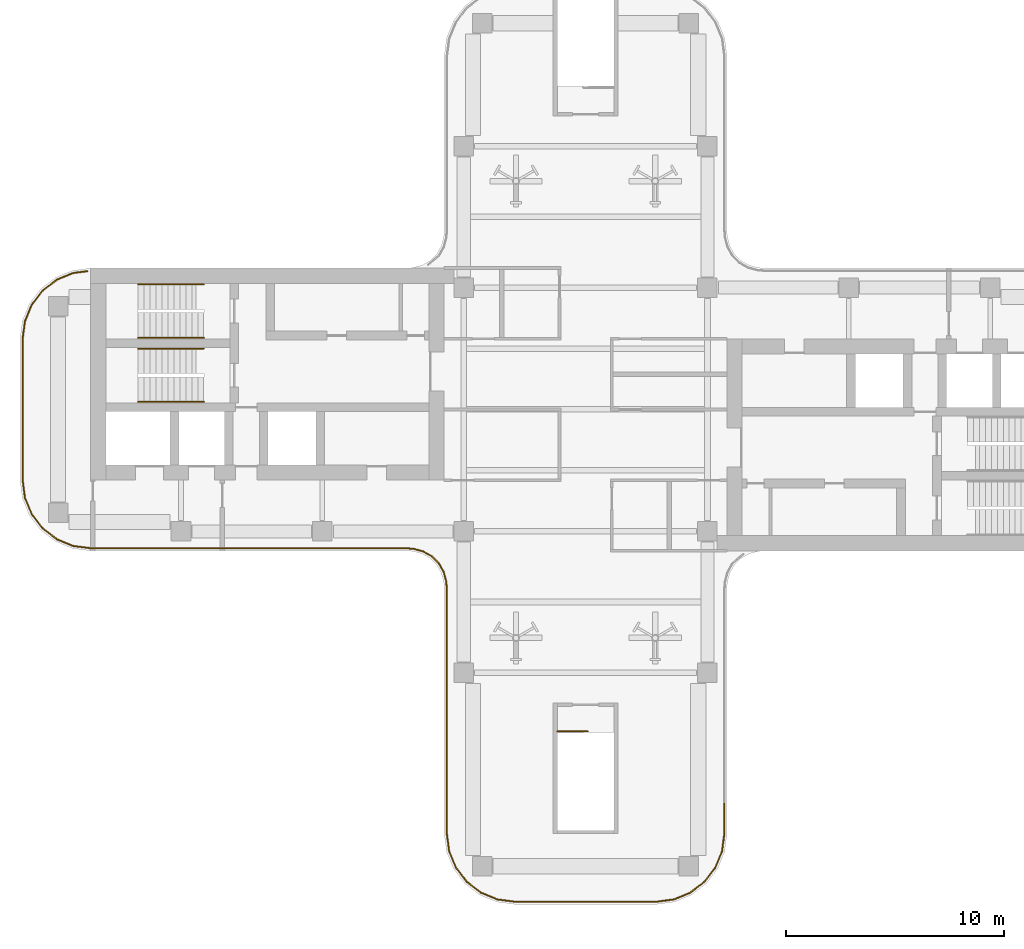
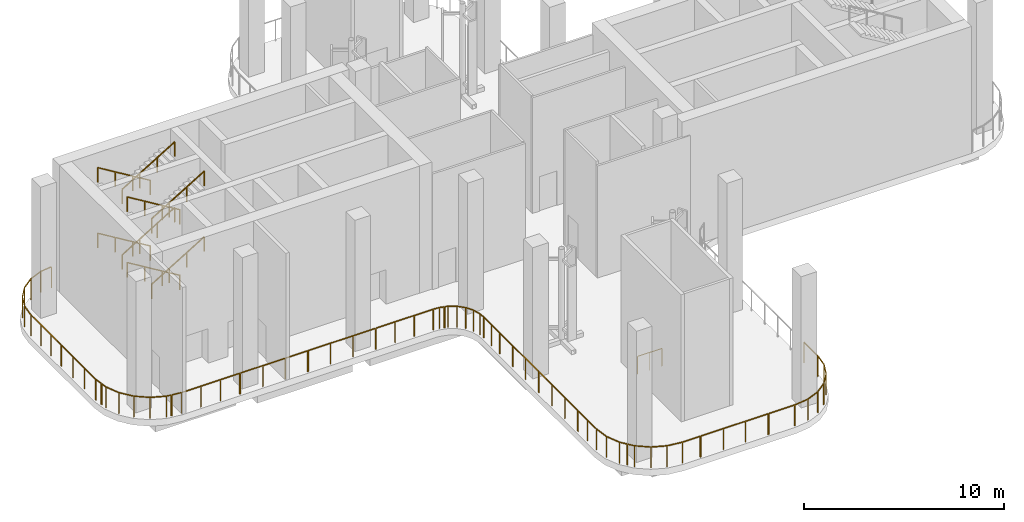
# One storey, part 5 of 8: 25 railings.
"""IFC4 building model written with IfcOpenShell, lengths in metres."""

from ifc_helpers import new_model, si_unit, direction, frame, origin, origin_2d, place, context, subcontext, project, spatial, rectangle, circle, extrude, source, transform, mapped, material, type_object, element, save


model = new_model("IFC4")

# Units and contexts
model_context = context("Model", 3, precision=1e-05, world=origin(), true_north=direction((0.0, 1.0)))
body_context = subcontext(model_context, "Body", "Model", "MODEL_VIEW")
ifc_project = project(units=[si_unit("LENGTHUNIT", "METRE"), si_unit("AREAUNIT", "SQUARE_METRE"), si_unit("VOLUMEUNIT", "CUBIC_METRE"), si_unit("PLANEANGLEUNIT", "RADIAN"), si_unit("MASSUNIT", "GRAM", prefix="KILO")], contexts=[model_context])

# Site, building, storey
site_placement = place(None, origin())
site = spatial("IfcSite", under=ifc_project, at=site_placement, CompositionType="ELEMENT")
building_placement = place(site_placement, origin())
building = spatial("IfcBuilding", under=site, at=building_placement, Name="Trellis Farm Tower", CompositionType="ELEMENT")
storey_placement = place(building_placement, frame((0.0, 0.0, 330.10009765625)))
storey = spatial("IfcBuildingStorey", under=building, at=storey_placement, Name="L75", CompositionType="ELEMENT", Elevation=330.10009765625)

# Railings
ifc_material_1 = material(Name="Stainless steel 316", Category="steel")
railing_type_1 = type_object("IfcRailingType", Name="BALUSTRADE GUARD 1300", PredefinedType="GUARDRAIL", material=ifc_material_1)
railing_1_placement = place(storey_placement, frame((6.3798828125, -18.124755859375, 0.0)))
element("IfcRailing", 1, at=railing_1_placement, inside=storey, type_object=railing_type_1, Name="GD3 EDGE-22", PredefinedType="GUARDRAIL", context=body_context, shape_type="SweptSolid", body=[
    extrude(rectangle(XDim=0.050048828125, YDim=0.050048828125, at=origin_2d()), frame((0.0, 0.0, 1.27490234375), z_axis=(0.0, -1.0, 0.0), x_axis=(1.0, 0.0, 0.0)), (0.0, 0.0, 1.0), 1.367431640625),
    extrude(rectangle(XDim=0.050048828125, YDim=0.050048828125, at=origin_2d()), frame((0.0, -1.367431640625, 1.27490234375), z_axis=(-0.130554065513, -0.991441191387, 0.0), x_axis=(0.991441191387, -0.130554065513, 0.0)), (0.0, 0.0, 1.0), 0.82470703125),
    extrude(rectangle(XDim=0.050048828125, YDim=0.050048828125, at=origin_2d()), frame((-0.107666015625, -2.18505859375, 1.27490234375), z_axis=(-0.382598185958, -0.923914838122, 0.0), x_axis=(0.923914838122, -0.382598185958, 0.0)), (0.0, 0.0, 1.0), 0.81689453125),
    extrude(rectangle(XDim=0.050048828125, YDim=0.050048828125, at=origin_2d()), frame((-0.420166015625, -2.939697265625, 1.27490234375), z_axis=(-0.608858156099, -0.793279109615, 0.0), x_axis=(0.793279109615, -0.608858156099, 0.0)), (0.0, 0.0, 1.0), 0.81689453125),
    extrude(rectangle(XDim=0.050048828125, YDim=0.050048828125, at=origin_2d()), frame((-0.91748046875, -3.587646484375, 1.27490234375), z_axis=(-0.791285001392, -0.611447501076, 0.0), x_axis=(0.611447501076, -0.791285001392, 0.0)), (0.0, 0.0, 1.0), 0.040771484375),
    extrude(rectangle(XDim=0.0400390625, YDim=0.0400390625, at=origin_2d()), origin(), (0.0, 0.0, 1.0), 1.25),
    extrude(rectangle(XDim=0.0400390625, YDim=0.0400390625, at=origin_2d()), frame((0.0, -1.367431640625, 0.0)), (0.0, 0.0, 1.0), 1.25),
    extrude(rectangle(XDim=0.0400390625, YDim=0.0400390625, at=origin_2d()), frame((-0.107666015625, -2.18505859375, 0.0)), (0.0, 0.0, 1.0), 1.25),
    extrude(rectangle(XDim=0.0400390625, YDim=0.0400390625, at=origin_2d()), frame((-0.420166015625, -2.939697265625, 0.0)), (0.0, 0.0, 1.0), 1.25),
    extrude(rectangle(XDim=0.0400390625, YDim=0.0400390625, at=origin_2d()), frame((-0.91748046875, -3.587646484375, 0.0)), (0.0, 0.0, 1.0), 1.25),
    extrude(rectangle(XDim=0.0400390625, YDim=0.0400390625, at=origin_2d()), frame((-0.94970703125, -3.612548828125, 0.0)), (0.0, 0.0, 1.0), 1.25),
])
railing_2_placement = place(storey_placement, frame((5.394287109375, -21.764892578125, 0.0)))
element("IfcRailing", 2, at=railing_2_placement, inside=storey, type_object=railing_type_1, Name="GD3 EDGE-23", PredefinedType="GUARDRAIL", context=body_context, shape_type="SweptSolid", body=[
    extrude(rectangle(XDim=0.050048828125, YDim=0.050048828125, at=origin_2d()), frame((0.0, 0.0, 1.27490234375), z_axis=(-0.793418130896, -0.608676982944, 0.0), x_axis=(0.608676982944, -0.793418130896, 0.0)), (0.0, 0.0, 1.0), 0.730712890625),
    extrude(rectangle(XDim=0.050048828125, YDim=0.050048828125, at=origin_2d()), frame((-0.579833984375, -0.44482421875, 1.27490234375), z_axis=(-0.923914838122, -0.382598185958, 0.0), x_axis=(0.382598185958, -0.923914838122, 0.0)), (0.0, 0.0, 1.0), 0.81689453125),
    extrude(rectangle(XDim=0.050048828125, YDim=0.050048828125, at=origin_2d()), frame((-1.33447265625, -0.75732421875, 1.27490234375), z_axis=(-0.991441191387, -0.130554065513, 0.0), x_axis=(0.130554065513, -0.991441191387, 0.0)), (0.0, 0.0, 1.0), 0.82470703125),
    extrude(rectangle(XDim=0.050048828125, YDim=0.050048828125, at=origin_2d()), frame((-2.152099609375, -0.864990234375, 1.27490234375), z_axis=(-1.0, 0.0, 0.0), x_axis=(0.0, -1.0, 0.0)), (0.0, 0.0, 1.0), 1.494384765625),
    extrude(rectangle(XDim=0.0400390625, YDim=0.0400390625, at=origin_2d()), origin(), (0.0, 0.0, 1.0), 1.25),
    extrude(rectangle(XDim=0.0400390625, YDim=0.0400390625, at=origin_2d()), frame((-0.579833984375, -0.44482421875, 0.0)), (0.0, 0.0, 1.0), 1.25),
    extrude(rectangle(XDim=0.0400390625, YDim=0.0400390625, at=origin_2d()), frame((-1.33447265625, -0.75732421875, 0.0)), (0.0, 0.0, 1.0), 1.25),
    extrude(rectangle(XDim=0.0400390625, YDim=0.0400390625, at=origin_2d()), frame((-2.152099609375, -0.864990234375, 0.0)), (0.0, 0.0, 1.0), 1.25),
    extrude(rectangle(XDim=0.0400390625, YDim=0.0400390625, at=origin_2d()), frame((-3.646484375, -0.864990234375, 0.0)), (0.0, 0.0, 1.0), 1.25),
])
railing_3_placement = place(storey_placement, frame((-2.208984375, -22.6298828125, 0.0)))
element("IfcRailing", 3, at=railing_3_placement, inside=storey, type_object=railing_type_1, Name="GD3 EDGE-25", PredefinedType="GUARDRAIL", context=body_context, shape_type="SweptSolid", body=[
    extrude(rectangle(XDim=0.050048828125, YDim=0.050048828125, at=origin_2d()), frame((0.0, 0.0, 1.27490234375), z_axis=(-1.0, 0.0, 0.0), x_axis=(0.0, -1.0, 0.0)), (0.0, 0.0, 1.0), 1.033203125),
    extrude(rectangle(XDim=0.050048828125, YDim=0.050048828125, at=origin_2d()), frame((-1.033203125, 0.0, 1.27490234375), z_axis=(-0.991441191387, 0.130554065513, 0.0), x_axis=(-0.130554065513, -0.991441191387, 0.0)), (0.0, 0.0, 1.0), 0.82470703125),
    extrude(rectangle(XDim=0.050048828125, YDim=0.050048828125, at=origin_2d()), frame((-1.850830078125, 0.107666015625, 1.27490234375), z_axis=(-0.923914838122, 0.382598185958, 0.0), x_axis=(-0.382598185958, -0.923914838122, 0.0)), (0.0, 0.0, 1.0), 0.81689453125),
    extrude(rectangle(XDim=0.050048828125, YDim=0.050048828125, at=origin_2d()), frame((-2.60546875, 0.420166015625, 1.27490234375), z_axis=(-0.793279109615, 0.608858156099, 0.0), x_axis=(-0.608858156099, -0.793279109615, 0.0)), (0.0, 0.0, 1.0), 0.81689453125),
    extrude(rectangle(XDim=0.050048828125, YDim=0.050048828125, at=origin_2d()), frame((-3.25341796875, 0.91748046875, 1.27490234375), z_axis=(-0.609018747732, 0.793155826374, 0.0), x_axis=(-0.793155826374, -0.609018747732, 0.0)), (0.0, 0.0, 1.0), 0.375244140625),
    extrude(rectangle(XDim=0.0400390625, YDim=0.0400390625, at=origin_2d()), origin(), (0.0, 0.0, 1.0), 1.25),
    extrude(rectangle(XDim=0.0400390625, YDim=0.0400390625, at=origin_2d()), frame((-1.033203125, 0.0, 0.0)), (0.0, 0.0, 1.0), 1.25),
    extrude(rectangle(XDim=0.0400390625, YDim=0.0400390625, at=origin_2d()), frame((-1.850830078125, 0.107666015625, 0.0)), (0.0, 0.0, 1.0), 1.25),
    extrude(rectangle(XDim=0.0400390625, YDim=0.0400390625, at=origin_2d()), frame((-2.60546875, 0.420166015625, 0.0)), (0.0, 0.0, 1.0), 1.25),
    extrude(rectangle(XDim=0.0400390625, YDim=0.0400390625, at=origin_2d()), frame((-3.25341796875, 0.91748046875, 0.0)), (0.0, 0.0, 1.0), 1.25),
    extrude(rectangle(XDim=0.0400390625, YDim=0.0400390625, at=origin_2d()), frame((-3.48193359375, 1.215087890625, 0.0)), (0.0, 0.0, 1.0), 1.25),
])
railing_4_placement = place(storey_placement, frame((-5.71826171875, -21.379150390625, 0.0)))
element("IfcRailing", 4, at=railing_4_placement, inside=storey, type_object=railing_type_1, Name="GD3 EDGE-26", PredefinedType="GUARDRAIL", context=body_context, shape_type="SweptSolid", body=[
    extrude(rectangle(XDim=0.050048828125, YDim=0.050048828125, at=origin_2d()), frame((0.0, 0.0, 1.27490234375), z_axis=(-0.608728697942, 0.793378454649, 0.0), x_axis=(-0.793378454649, -0.608728697942, 0.0)), (0.0, 0.0, 1.0), 0.396728515625),
    extrude(rectangle(XDim=0.050048828125, YDim=0.050048828125, at=origin_2d()), frame((-0.241455078125, 0.314697265625, 1.27490234375), z_axis=(-0.382598185958, 0.923914838122, 0.0), x_axis=(-0.923914838122, -0.382598185958, 0.0)), (0.0, 0.0, 1.0), 0.81689453125),
    extrude(rectangle(XDim=0.050048828125, YDim=0.050048828125, at=origin_2d()), frame((-0.553955078125, 1.0693359375, 1.27490234375), z_axis=(-0.130554065513, 0.991441191387, 0.0), x_axis=(-0.991441191387, -0.130554065513, 0.0)), (0.0, 0.0, 1.0), 0.82470703125),
    extrude(rectangle(XDim=0.050048828125, YDim=0.050048828125, at=origin_2d()), frame((-0.66162109375, 1.886962890625, 1.27490234375), z_axis=(0.0, 1.0, 0.0), x_axis=(-1.0, 0.0, 0.0)), (0.0, 0.0, 1.0), 1.82861328125),
    extrude(rectangle(XDim=0.0400390625, YDim=0.0400390625, at=origin_2d()), origin(), (0.0, 0.0, 1.0), 1.25),
    extrude(rectangle(XDim=0.0400390625, YDim=0.0400390625, at=origin_2d()), frame((-0.241455078125, 0.314697265625, 0.0)), (0.0, 0.0, 1.0), 1.25),
    extrude(rectangle(XDim=0.0400390625, YDim=0.0400390625, at=origin_2d()), frame((-0.553955078125, 1.0693359375, 0.0)), (0.0, 0.0, 1.0), 1.25),
    extrude(rectangle(XDim=0.0400390625, YDim=0.0400390625, at=origin_2d()), frame((-0.66162109375, 1.886962890625, 0.0)), (0.0, 0.0, 1.0), 1.25),
    extrude(rectangle(XDim=0.0400390625, YDim=0.0400390625, at=origin_2d()), frame((-0.66162109375, 2.80126953125, 0.0)), (0.0, 0.0, 1.0), 1.25),
    extrude(rectangle(XDim=0.0400390625, YDim=0.0400390625, at=origin_2d()), frame((-0.66162109375, 3.715576171875, 0.0)), (0.0, 0.0, 1.0), 1.25),
])
railing_5_placement = place(storey_placement, frame((-6.3798828125, -9.795166015625, 0.0)))
element("IfcRailing", 5, at=railing_5_placement, inside=storey, type_object=railing_type_1, Name="GD3 EDGE-29", PredefinedType="GUARDRAIL", context=body_context, shape_type="SweptSolid", body=[
    extrude(rectangle(XDim=0.050048828125, YDim=0.050048828125, at=origin_2d()), frame((0.0, 0.0, 1.27490234375), z_axis=(0.0, 1.0, 0.0), x_axis=(-1.0, 0.0, 0.0)), (0.0, 0.0, 1.0), 1.567626953125),
    extrude(rectangle(XDim=0.050048828125, YDim=0.050048828125, at=origin_2d()), frame((0.0, 1.567626953125, 1.27490234375), z_axis=(-0.088443887633, 0.99608116072, 0.0), x_axis=(-0.99608116072, -0.088443887633, 0.0)), (0.0, 0.0, 1.0), 0.336669921875),
    extrude(rectangle(XDim=0.050048828125, YDim=0.050048828125, at=origin_2d()), frame((-0.02978515625, 1.903076171875, 1.27490234375), z_axis=(-0.258891443638, 0.965906424252, 0.0), x_axis=(-0.965906424252, -0.258891443638, 0.0)), (0.0, 0.0, 1.0), 0.445068359375),
    extrude(rectangle(XDim=0.050048828125, YDim=0.050048828125, at=origin_2d()), frame((-0.14501953125, 2.3330078125, 1.27490234375), z_axis=(-0.499971721724, 0.866041729639, 0.0), x_axis=(-0.866041729639, -0.499971721724, 0.0)), (0.0, 0.0, 1.0), 0.4521484375),
    extrude(rectangle(XDim=0.050048828125, YDim=0.050048828125, at=origin_2d()), frame((-0.37109375, 2.724609375, 1.27490234375), z_axis=(-0.707106781187, 0.707106781187, 0.0), x_axis=(-0.707106781187, -0.707106781187, 0.0)), (0.0, 0.0, 1.0), 0.451904296875),
    extrude(rectangle(XDim=0.050048828125, YDim=0.050048828125, at=origin_2d()), frame((-0.690673828125, 3.044189453125, 1.27490234375), z_axis=(-0.866041729639, 0.499971721724, 0.0), x_axis=(-0.499971721724, -0.866041729639, 0.0)), (0.0, 0.0, 1.0), 0.4521484375),
    extrude(rectangle(XDim=0.050048828125, YDim=0.050048828125, at=origin_2d()), frame((-1.082275390625, 3.270263671875, 1.27490234375), z_axis=(-0.965805806367, 0.259266550846, 0.0), x_axis=(-0.259266550846, -0.965805806367, 0.0)), (0.0, 0.0, 1.0), 0.1611328125),
    extrude(rectangle(XDim=0.0400390625, YDim=0.0400390625, at=origin_2d()), origin(), (0.0, 0.0, 1.0), 1.25),
    extrude(rectangle(XDim=0.0400390625, YDim=0.0400390625, at=origin_2d()), frame((0.0, 0.78369140625, 0.0)), (0.0, 0.0, 1.0), 1.25),
    extrude(rectangle(XDim=0.0400390625, YDim=0.0400390625, at=origin_2d()), frame((0.0, 1.567626953125, 0.0)), (0.0, 0.0, 1.0), 1.25),
    extrude(rectangle(XDim=0.0400390625, YDim=0.0400390625, at=origin_2d()), frame((-0.02978515625, 1.903076171875, 0.0)), (0.0, 0.0, 1.0), 1.25),
    extrude(rectangle(XDim=0.0400390625, YDim=0.0400390625, at=origin_2d()), frame((-0.14501953125, 2.3330078125, 0.0)), (0.0, 0.0, 1.0), 1.25),
    extrude(rectangle(XDim=0.0400390625, YDim=0.0400390625, at=origin_2d()), frame((-0.37109375, 2.724609375, 0.0)), (0.0, 0.0, 1.0), 1.25),
    extrude(rectangle(XDim=0.0400390625, YDim=0.0400390625, at=origin_2d()), frame((-0.690673828125, 3.044189453125, 0.0)), (0.0, 0.0, 1.0), 1.25),
    extrude(rectangle(XDim=0.0400390625, YDim=0.0400390625, at=origin_2d()), frame((-1.082275390625, 3.270263671875, 0.0)), (0.0, 0.0, 1.0), 1.25),
    extrude(rectangle(XDim=0.0400390625, YDim=0.0400390625, at=origin_2d()), frame((-1.23779296875, 3.31201171875, 0.0)), (0.0, 0.0, 1.0), 1.25),
])
railing_6_placement = place(storey_placement, frame((-7.6611328125, -6.471435546875, 0.0)))
element("IfcRailing", 6, at=railing_6_placement, inside=storey, type_object=railing_type_1, Name="GD3 EDGE-30", PredefinedType="GUARDRAIL", context=body_context, shape_type="SweptSolid", body=[
    extrude(rectangle(XDim=0.050048828125, YDim=0.050048828125, at=origin_2d()), frame((0.0, 0.0, 1.27490234375), z_axis=(-0.966048244839, 0.258361739899, 0.0), x_axis=(-0.258361739899, -0.966048244839, 0.0)), (0.0, 0.0, 1.0), 0.239013671875),
    extrude(rectangle(XDim=0.050048828125, YDim=0.050048828125, at=origin_2d()), frame((-0.23095703125, 0.061767578125, 1.27490234375), z_axis=(-0.99608116072, 0.088443887633, 0.0), x_axis=(-0.088443887633, -0.99608116072, 0.0)), (0.0, 0.0, 1.0), 0.336669921875),
    extrude(rectangle(XDim=0.050048828125, YDim=0.050048828125, at=origin_2d()), frame((-0.56640625, 0.091552734375, 1.27490234375), z_axis=(-1.0, 0.0, 0.0), x_axis=(0.0, -1.0, 0.0)), (0.0, 0.0, 1.0), 3.290771484375),
    extrude(rectangle(XDim=0.0400390625, YDim=0.0400390625, at=origin_2d()), origin(), (0.0, 0.0, 1.0), 1.25),
    extrude(rectangle(XDim=0.0400390625, YDim=0.0400390625, at=origin_2d()), frame((-0.23095703125, 0.061767578125, 0.0)), (0.0, 0.0, 1.0), 1.25),
    extrude(rectangle(XDim=0.0400390625, YDim=0.0400390625, at=origin_2d()), frame((-0.56640625, 0.091552734375, 0.0)), (0.0, 0.0, 1.0), 1.25),
    extrude(rectangle(XDim=0.0400390625, YDim=0.0400390625, at=origin_2d()), frame((-1.663330078125, 0.091552734375, 0.0)), (0.0, 0.0, 1.0), 1.25),
    extrude(rectangle(XDim=0.0400390625, YDim=0.0400390625, at=origin_2d()), frame((-2.76025390625, 0.091552734375, 0.0)), (0.0, 0.0, 1.0), 1.25),
    extrude(rectangle(XDim=0.0400390625, YDim=0.0400390625, at=origin_2d()), frame((-3.857177734375, 0.091552734375, 0.0)), (0.0, 0.0, 1.0), 1.25),
])
railing_7_placement = place(storey_placement, frame((-19.386962890625, -6.3798828125, 0.0)))
element("IfcRailing", 7, at=railing_7_placement, inside=storey, type_object=railing_type_1, Name="GD3 EDGE-33", PredefinedType="GUARDRAIL", context=body_context, shape_type="SweptSolid", body=[
    extrude(rectangle(XDim=0.050048828125, YDim=0.050048828125, at=origin_2d()), frame((0.0, 0.0, 1.27490234375), z_axis=(-1.0, 0.0, 0.0), x_axis=(0.0, -1.0, 0.0)), (0.0, 0.0, 1.0), 3.355224609375),
    extrude(rectangle(XDim=0.050048828125, YDim=0.050048828125, at=origin_2d()), frame((-3.355224609375, 0.0, 1.27490234375), z_axis=(-0.991472158722, 0.130318680468, 0.0), x_axis=(-0.130318680468, -0.991472158722, 0.0)), (0.0, 0.0, 1.0), 0.511474609375),
    extrude(rectangle(XDim=0.0400390625, YDim=0.0400390625, at=origin_2d()), origin(), (0.0, 0.0, 1.0), 1.25),
    extrude(rectangle(XDim=0.0400390625, YDim=0.0400390625, at=origin_2d()), frame((-1.118408203125, 0.0, 0.0)), (0.0, 0.0, 1.0), 1.25),
    extrude(rectangle(XDim=0.0400390625, YDim=0.0400390625, at=origin_2d()), frame((-2.23681640625, 0.0, 0.0)), (0.0, 0.0, 1.0), 1.25),
    extrude(rectangle(XDim=0.0400390625, YDim=0.0400390625, at=origin_2d()), frame((-3.355224609375, 0.0, 0.0)), (0.0, 0.0, 1.0), 1.25),
    extrude(rectangle(XDim=0.0400390625, YDim=0.0400390625, at=origin_2d()), frame((-3.8623046875, 0.066650390625, 0.0)), (0.0, 0.0, 1.0), 1.25),
])
railing_8_placement = place(storey_placement, frame((-23.2939453125, -6.307373046875, 0.0)))
element("IfcRailing", 8, at=railing_8_placement, inside=storey, type_object=railing_type_1, Name="GD3 EDGE-34", PredefinedType="GUARDRAIL", context=body_context, shape_type="SweptSolid", body=[
    extrude(rectangle(XDim=0.050048828125, YDim=0.050048828125, at=origin_2d()), frame((0.0, 0.0, 1.27490234375), z_axis=(-0.991370431245, 0.131090304958, 0.0), x_axis=(-0.131090304958, -0.991370431245, 0.0)), (0.0, 0.0, 1.0), 0.26806640625),
    extrude(rectangle(XDim=0.050048828125, YDim=0.050048828125, at=origin_2d()), frame((-0.265869140625, 0.03515625, 1.27490234375), z_axis=(-0.923914838122, 0.382598185958, 0.0), x_axis=(-0.382598185958, -0.923914838122, 0.0)), (0.0, 0.0, 1.0), 0.81689453125),
    extrude(rectangle(XDim=0.050048828125, YDim=0.050048828125, at=origin_2d()), frame((-1.0205078125, 0.34765625, 1.27490234375), z_axis=(-0.793279109615, 0.608858156099, 0.0), x_axis=(-0.608858156099, -0.793279109615, 0.0)), (0.0, 0.0, 1.0), 0.81689453125),
    extrude(rectangle(XDim=0.050048828125, YDim=0.050048828125, at=origin_2d()), frame((-1.66845703125, 0.844970703125, 1.27490234375), z_axis=(-0.608858156099, 0.793279109615, 0.0), x_axis=(-0.793279109615, -0.608858156099, 0.0)), (0.0, 0.0, 1.0), 0.81689453125),
    extrude(rectangle(XDim=0.050048828125, YDim=0.050048828125, at=origin_2d()), frame((-2.165771484375, 1.492919921875, 1.27490234375), z_axis=(-0.382598185958, 0.923914838122, 0.0), x_axis=(-0.923914838122, -0.382598185958, 0.0)), (0.0, 0.0, 1.0), 0.81689453125),
    extrude(rectangle(XDim=0.050048828125, YDim=0.050048828125, at=origin_2d()), frame((-2.478271484375, 2.24755859375, 1.27490234375), z_axis=(-0.131198066394, 0.991356175839, 0.0), x_axis=(-0.991356175839, -0.131198066394, 0.0)), (0.0, 0.0, 1.0), 0.331298828125),
    extrude(rectangle(XDim=0.0400390625, YDim=0.0400390625, at=origin_2d()), origin(), (0.0, 0.0, 1.0), 1.25),
    extrude(rectangle(XDim=0.0400390625, YDim=0.0400390625, at=origin_2d()), frame((-0.265869140625, 0.03515625, 0.0)), (0.0, 0.0, 1.0), 1.25),
    extrude(rectangle(XDim=0.0400390625, YDim=0.0400390625, at=origin_2d()), frame((-1.0205078125, 0.34765625, 0.0)), (0.0, 0.0, 1.0), 1.25),
    extrude(rectangle(XDim=0.0400390625, YDim=0.0400390625, at=origin_2d()), frame((-1.66845703125, 0.844970703125, 0.0)), (0.0, 0.0, 1.0), 1.25),
    extrude(rectangle(XDim=0.0400390625, YDim=0.0400390625, at=origin_2d()), frame((-2.165771484375, 1.492919921875, 0.0)), (0.0, 0.0, 1.0), 1.25),
    extrude(rectangle(XDim=0.0400390625, YDim=0.0400390625, at=origin_2d()), frame((-2.478271484375, 2.24755859375, 0.0)), (0.0, 0.0, 1.0), 1.25),
    extrude(rectangle(XDim=0.0400390625, YDim=0.0400390625, at=origin_2d()), frame((-2.521728515625, 2.575927734375, 0.0)), (0.0, 0.0, 1.0), 1.25),
])
railing_9_placement = place(storey_placement, frame((-25.8212890625, -3.686767578125, 0.0)))
element("IfcRailing", 9, at=railing_9_placement, inside=storey, type_object=railing_type_1, Name="GD3 EDGE-35", PredefinedType="GUARDRAIL", context=body_context, shape_type="SweptSolid", body=[
    extrude(rectangle(XDim=0.050048828125, YDim=0.050048828125, at=origin_2d()), frame((0.0, 0.0, 1.27490234375), z_axis=(-0.130665762971, 0.991426476541, 0.0), x_axis=(-0.991426476541, -0.130665762971, 0.0)), (0.0, 0.0, 1.0), 0.448486328125),
    extrude(rectangle(XDim=0.050048828125, YDim=0.050048828125, at=origin_2d()), frame((-0.05859375, 0.444580078125, 1.27490234375), z_axis=(0.0, 1.0, 0.0), x_axis=(-1.0, 0.0, 0.0)), (0.0, 0.0, 1.0), 3.41845703125),
    extrude(rectangle(XDim=0.0400390625, YDim=0.0400390625, at=origin_2d()), origin(), (0.0, 0.0, 1.0), 1.25),
    extrude(rectangle(XDim=0.0400390625, YDim=0.0400390625, at=origin_2d()), frame((-0.05859375, 0.444580078125, 0.0)), (0.0, 0.0, 1.0), 1.25),
    extrude(rectangle(XDim=0.0400390625, YDim=0.0400390625, at=origin_2d()), frame((-0.05859375, 1.583984375, 0.0)), (0.0, 0.0, 1.0), 1.25),
    extrude(rectangle(XDim=0.0400390625, YDim=0.0400390625, at=origin_2d()), frame((-0.05859375, 2.7236328125, 0.0)), (0.0, 0.0, 1.0), 1.25),
    extrude(rectangle(XDim=0.0400390625, YDim=0.0400390625, at=origin_2d()), frame((-0.05859375, 3.863037109375, 0.0)), (0.0, 0.0, 1.0), 1.25),
])
railing_10_placement = place(storey_placement, frame((-25.8798828125, 0.22119140625, 0.0)))
element("IfcRailing", 10, at=railing_10_placement, inside=storey, type_object=railing_type_1, Name="GD3 EDGE-36", PredefinedType="GUARDRAIL", context=body_context, shape_type="SweptSolid", body=[
    extrude(rectangle(XDim=0.050048828125, YDim=0.050048828125, at=origin_2d()), frame((0.0, 0.0, 1.27490234375), z_axis=(0.0, 1.0, 0.0), x_axis=(-1.0, 0.0, 0.0)), (0.0, 0.0, 1.0), 3.02099609375),
    extrude(rectangle(XDim=0.050048828125, YDim=0.050048828125, at=origin_2d()), frame((0.0, 3.02099609375, 1.27490234375), z_axis=(0.130554065513, 0.991441191387, 0.0), x_axis=(-0.991441191387, 0.130554065513, 0.0)), (0.0, 0.0, 1.0), 0.82470703125),
    extrude(rectangle(XDim=0.050048828125, YDim=0.050048828125, at=origin_2d()), frame((0.107666015625, 3.838623046875, 1.27490234375), z_axis=(0.381330922953, 0.924438601098, 0.0), x_axis=(-0.924438601098, 0.381330922953, 0.0)), (0.0, 0.0, 1.0), 0.021240234375),
    extrude(rectangle(XDim=0.0400390625, YDim=0.0400390625, at=origin_2d()), origin(), (0.0, 0.0, 1.0), 1.25),
    extrude(rectangle(XDim=0.0400390625, YDim=0.0400390625, at=origin_2d()), frame((0.0, 1.007080078125, 0.0)), (0.0, 0.0, 1.0), 1.25),
    extrude(rectangle(XDim=0.0400390625, YDim=0.0400390625, at=origin_2d()), frame((0.0, 2.013916015625, 0.0)), (0.0, 0.0, 1.0), 1.25),
    extrude(rectangle(XDim=0.0400390625, YDim=0.0400390625, at=origin_2d()), frame((0.0, 3.02099609375, 0.0)), (0.0, 0.0, 1.0), 1.25),
    extrude(rectangle(XDim=0.0400390625, YDim=0.0400390625, at=origin_2d()), frame((0.107666015625, 3.838623046875, 0.0)), (0.0, 0.0, 1.0), 1.25),
    extrude(rectangle(XDim=0.0400390625, YDim=0.0400390625, at=origin_2d()), frame((0.11572265625, 3.858154296875, 0.0)), (0.0, 0.0, 1.0), 1.25),
])
railing_11_placement = place(storey_placement, frame((-25.7470703125, 4.120849609375, 0.0)))
element("IfcRailing", 11, at=railing_11_placement, inside=storey, type_object=railing_type_1, Name="GD3 EDGE-37", PredefinedType="GUARDRAIL", context=body_context, shape_type="SweptSolid", body=[
    extrude(rectangle(XDim=0.050048828125, YDim=0.050048828125, at=origin_2d()), frame((0.0, 0.0, 1.27490234375), z_axis=(0.382744292772, 0.923854320957, 0.0), x_axis=(-0.923854320957, 0.382744292772, 0.0)), (0.0, 0.0, 1.0), 0.750732421875),
    extrude(rectangle(XDim=0.050048828125, YDim=0.050048828125, at=origin_2d()), frame((0.287353515625, 0.693603515625, 1.27490234375), z_axis=(0.608858156099, 0.793279109615, 0.0), x_axis=(-0.793279109615, 0.608858156099, 0.0)), (0.0, 0.0, 1.0), 0.81689453125),
    extrude(rectangle(XDim=0.050048828125, YDim=0.050048828125, at=origin_2d()), frame((0.78466796875, 1.341552734375, 1.27490234375), z_axis=(0.793279109615, 0.608858156099, 0.0), x_axis=(-0.608858156099, 0.793279109615, 0.0)), (0.0, 0.0, 1.0), 0.81689453125),
    extrude(rectangle(XDim=0.050048828125, YDim=0.050048828125, at=origin_2d()), frame((1.4326171875, 1.8388671875, 1.27490234375), z_axis=(0.923914838122, 0.382598185958, 0.0), x_axis=(-0.382598185958, 0.923914838122, 0.0)), (0.0, 0.0, 1.0), 0.81689453125),
    extrude(rectangle(XDim=0.050048828125, YDim=0.050048828125, at=origin_2d()), frame((2.187255859375, 2.1513671875, 1.27490234375), z_axis=(0.991438058147, 0.130577857455, 0.0), x_axis=(-0.130577857455, 0.991438058147, 0.0)), (0.0, 0.0, 1.0), 0.66552734375),
    extrude(rectangle(XDim=0.0400390625, YDim=0.0400390625, at=origin_2d()), origin(), (0.0, 0.0, 1.0), 1.25),
    extrude(rectangle(XDim=0.0400390625, YDim=0.0400390625, at=origin_2d()), frame((0.287353515625, 0.693603515625, 0.0)), (0.0, 0.0, 1.0), 1.25),
    extrude(rectangle(XDim=0.0400390625, YDim=0.0400390625, at=origin_2d()), frame((0.78466796875, 1.341552734375, 0.0)), (0.0, 0.0, 1.0), 1.25),
    extrude(rectangle(XDim=0.0400390625, YDim=0.0400390625, at=origin_2d()), frame((1.4326171875, 1.8388671875, 0.0)), (0.0, 0.0, 1.0), 1.25),
    extrude(rectangle(XDim=0.0400390625, YDim=0.0400390625, at=origin_2d()), frame((2.187255859375, 2.1513671875, 0.0)), (0.0, 0.0, 1.0), 1.25),
    extrude(rectangle(XDim=0.0400390625, YDim=0.0400390625, at=origin_2d()), frame((2.84716796875, 2.23828125, 0.0)), (0.0, 0.0, 1.0), 1.25),
])
ifc_material_2 = material(Name="Stainless steel", Category="steel")
railing_type_2 = type_object("IfcRailingType", Name="STAIR GUARD 1100", PredefinedType="GUARDRAIL", material=ifc_material_2)
railing_12_placement = place(storey_placement, frame((-1.300048828125, -14.800048828125, 0.0)))
element("IfcRailing", 12, at=railing_12_placement, inside=storey, type_object=railing_type_2, Name="Stair guard", PredefinedType="GUARDRAIL", context=body_context, shape_type="SweptSolid", body=[
    extrude(circle(Radius=0.02392578125, at=origin_2d()), frame((0.0, 0.0, 1.076171875), z_axis=(1.0, 0.0, 0.0), x_axis=(0.0, 1.0, 0.0)), (0.0, 0.0, 1.0), 1.400146484375),
    extrude(circle(Radius=0.02099609375, at=origin_2d()), origin(), (0.0, 0.0, 1.0), 1.052001953125),
    extrude(circle(Radius=0.02099609375, at=origin_2d()), frame((0.7001953125, 0.0, 0.0)), (0.0, 0.0, 1.0), 1.052001953125),
    extrude(circle(Radius=0.02099609375, at=origin_2d()), frame((1.400146484375, 0.0, 0.0)), (0.0, 0.0, 1.0), 1.052001953125),
])
railing_type_3 = type_object("IfcRailingType", Name="STAIR HANDRAIL 900", PredefinedType="HANDRAIL", material=ifc_material_2)
shared_shape_1 = source(origin(), body_context, "Body", "SweptSolid", [
    extrude(circle(Radius=0.02392578125, at=origin_2d()), frame((0.0, 0.0, 0.8759765625), z_axis=(0.855170017971, 0.0, 0.518347605727), x_axis=(0.0, 1.0, 0.0)), (0.0, 0.0, 1.0), 3.537109375),
    extrude(circle(Radius=0.02099609375, at=origin_2d()), origin(), (0.0, 0.0, 1.0), 0.851806640625),
    extrude(circle(Radius=0.02099609375, at=origin_2d()), frame((1.00830078125, 0.0, 0.611083984375)), (0.0, 0.0, 1.0), 0.851806640625),
    extrude(circle(Radius=0.02099609375, at=origin_2d()), frame((2.0166015625, 0.0, 1.222412109375)), (0.0, 0.0, 1.0), 0.851806640625),
    extrude(circle(Radius=0.02099609375, at=origin_2d()), frame((3.02490234375, 0.0, 1.83349609375)), (0.0, 0.0, 1.0), 0.851806640625),
])
for number, where, name in (
    (13, (-20.574951171875, 3.300048828125, 2.16650390625), "Stair handrail"),
    (14, (-20.574951171875, 3.300048828125, 6.16650390625), "Stair handrail"),
    (15, (-20.574951171875, 0.35009765625, 2.16650390625), "Stair handrail"),
    (16, (-20.574951171875, 0.35009765625, 6.16650390625), "Stair handrail"),
):
    element("IfcRailing", number, at=place(storey_placement, frame(where)), inside=storey, type_object=railing_type_3, Name=name, PredefinedType="HANDRAIL", context=body_context, shape_type="MappedRepresentation", body=[
        mapped(shared_shape_1, transform((0.0, 0.0, 0.0))),
    ])
shared_shape_2 = source(origin(), body_context, "Body", "SweptSolid", [
    extrude(circle(Radius=0.02392578125, at=origin_2d()), frame((0.0, 0.0, 0.8759765625), z_axis=(-0.855170017971, 0.0, 0.518347605727), x_axis=(0.0, -1.0, 0.0)), (0.0, 0.0, 1.0), 3.537109375),
    extrude(circle(Radius=0.02099609375, at=origin_2d()), origin(), (0.0, 0.0, 1.0), 0.851806640625),
    extrude(circle(Radius=0.02099609375, at=origin_2d()), frame((-1.00830078125, 0.0, 0.611083984375)), (0.0, 0.0, 1.0), 0.851806640625),
    extrude(circle(Radius=0.02099609375, at=origin_2d()), frame((-2.0166015625, 0.0, 1.222412109375)), (0.0, 0.0, 1.0), 0.851806640625),
    extrude(circle(Radius=0.02099609375, at=origin_2d()), frame((-3.02490234375, 0.0, 1.83349609375)), (0.0, 0.0, 1.0), 0.851806640625),
])
for number, where, name in (
    (17, (-17.550048828125, 5.75, 0.16650390625), "Stair handrail"),
    (18, (-17.550048828125, 5.75, 4.16650390625), "Stair handrail"),
    (19, (-17.550048828125, 2.800048828125, 0.16650390625), "Stair handrail"),
    (20, (-17.550048828125, 2.800048828125, 4.16650390625), "Stair handrail"),
):
    element("IfcRailing", number, at=place(storey_placement, frame(where)), inside=storey, type_object=railing_type_3, Name=name, PredefinedType="HANDRAIL", context=body_context, shape_type="MappedRepresentation", body=[
        mapped(shared_shape_2, transform((0.0, 0.0, 0.0))),
    ])
shared_shape_3 = source(origin(), body_context, "Body", "SweptSolid", [
    extrude(rectangle(XDim=0.050048828125, YDim=0.050048828125, at=origin_2d()), frame((0.0, 0.0, 1.27490234375), z_axis=(0.0, 1.0, 0.0), x_axis=(-1.0, 0.0, 0.0)), (0.0, 0.0, 1.0), 3.86669921875),
    extrude(rectangle(XDim=0.0400390625, YDim=0.0400390625, at=origin_2d()), origin(), (0.0, 0.0, 1.0), 1.25),
    extrude(rectangle(XDim=0.0400390625, YDim=0.0400390625, at=origin_2d()), frame((0.0, 1.288818359375, 0.0)), (0.0, 0.0, 1.0), 1.25),
    extrude(rectangle(XDim=0.0400390625, YDim=0.0400390625, at=origin_2d()), frame((0.0, 2.577880859375, 0.0)), (0.0, 0.0, 1.0), 1.25),
    extrude(rectangle(XDim=0.0400390625, YDim=0.0400390625, at=origin_2d()), frame((0.0, 3.86669921875, 0.0)), (0.0, 0.0, 1.0), 1.25),
])
for number, where, name in (
    (21, (-6.3798828125, -17.61865234375, 0.0), "GD3 EDGE-27"),
    (22, (-6.3798828125, -13.706787109375, 0.0), "GD3 EDGE-28"),
):
    element("IfcRailing", number, at=place(storey_placement, frame(where)), inside=storey, type_object=railing_type_1, Name=name, PredefinedType="GUARDRAIL", context=body_context, shape_type="MappedRepresentation", body=[
        mapped(shared_shape_3, transform((0.0, 0.0, 0.0))),
    ])
shared_shape_4 = source(origin(), body_context, "Body", "SweptSolid", [
    extrude(rectangle(XDim=0.050048828125, YDim=0.050048828125, at=origin_2d()), frame((0.0, 0.0, 1.27490234375), z_axis=(-1.0, 0.0, 0.0), x_axis=(0.0, -1.0, 0.0)), (0.0, 0.0, 1.0), 3.86669921875),
    extrude(rectangle(XDim=0.0400390625, YDim=0.0400390625, at=origin_2d()), origin(), (0.0, 0.0, 1.0), 1.25),
    extrude(rectangle(XDim=0.0400390625, YDim=0.0400390625, at=origin_2d()), frame((-1.288818359375, 0.0, 0.0)), (0.0, 0.0, 1.0), 1.25),
    extrude(rectangle(XDim=0.0400390625, YDim=0.0400390625, at=origin_2d()), frame((-2.577880859375, 0.0, 0.0)), (0.0, 0.0, 1.0), 1.25),
    extrude(rectangle(XDim=0.0400390625, YDim=0.0400390625, at=origin_2d()), frame((-3.86669921875, 0.0, 0.0)), (0.0, 0.0, 1.0), 1.25),
])
for number, where, name in (
    (23, (1.702880859375, -22.6298828125, 0.0), "GD3 EDGE-24"),
    (24, (-11.5634765625, -6.3798828125, 0.0), "GD3 EDGE-31"),
    (25, (-15.47509765625, -6.3798828125, 0.0), "GD3 EDGE-32"),
):
    element("IfcRailing", number, at=place(storey_placement, frame(where)), inside=storey, type_object=railing_type_1, Name=name, PredefinedType="GUARDRAIL", context=body_context, shape_type="MappedRepresentation", body=[
        mapped(shared_shape_4, transform((0.0, 0.0, 0.0))),
    ])

save(model, "model.ifc")
